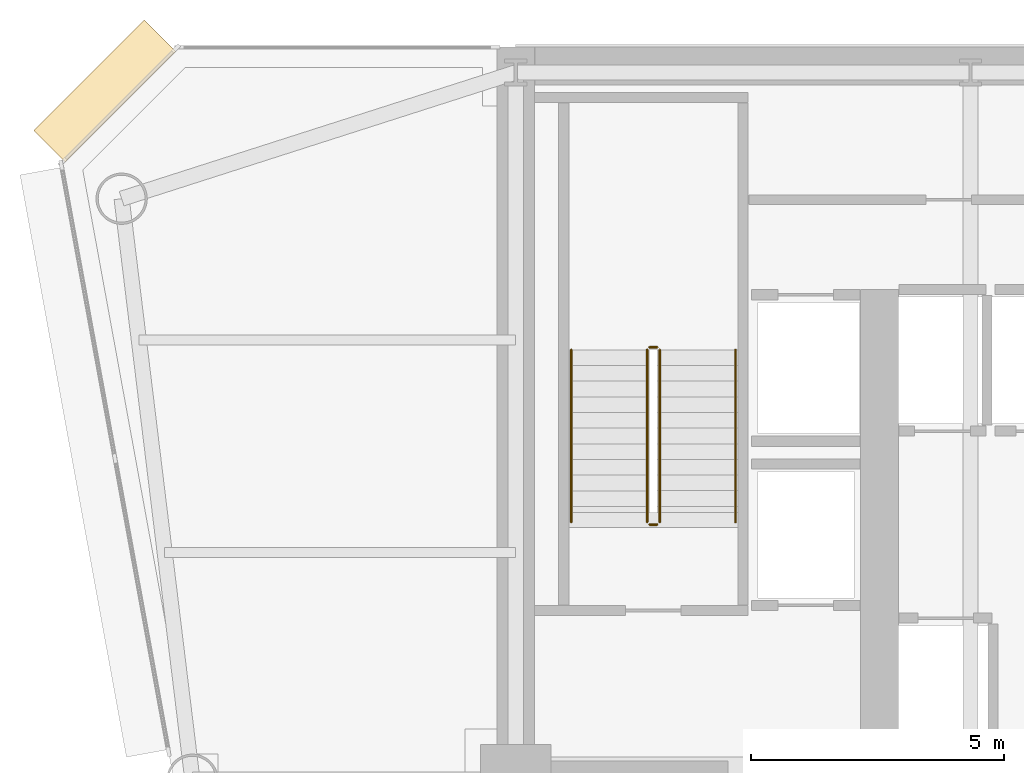
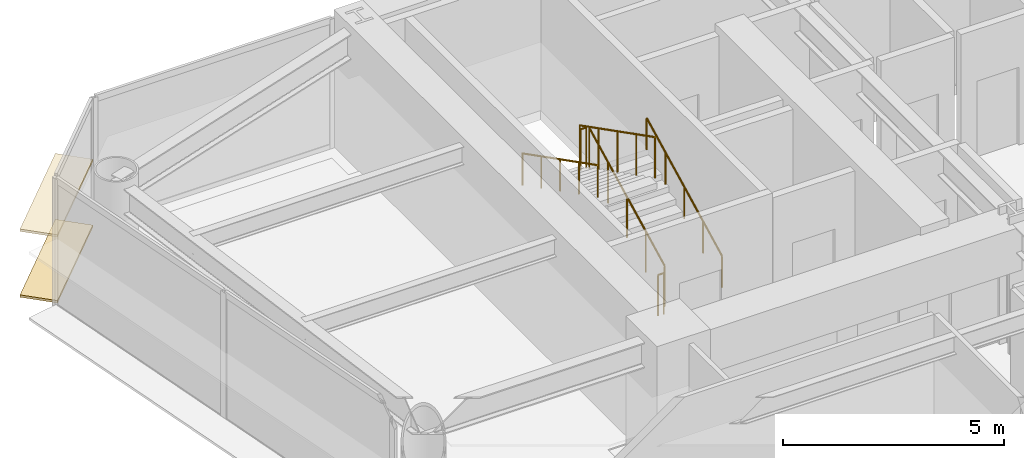
# One storey, part 12 of 14: 6 railings, 2 coverings.
"""IFC4 building model written with IfcOpenShell, lengths in metres."""

from ifc_helpers import new_model, si_unit, direction, frame, origin, origin_2d, place, context, subcontext, project, spatial, rectangle, circle, extrude, source, transform, mapped, material, layer, layer_set, type_object, element, save


model = new_model("IFC4")

# Units and contexts
model_context = context("Model", 3, precision=1e-05, world=origin(), true_north=direction((0.0, 1.0)))
body_context = subcontext(model_context, "Body", "Model", "MODEL_VIEW")
ifc_project = project(units=[si_unit("LENGTHUNIT", "METRE"), si_unit("AREAUNIT", "SQUARE_METRE"), si_unit("VOLUMEUNIT", "CUBIC_METRE"), si_unit("PLANEANGLEUNIT", "RADIAN"), si_unit("MASSUNIT", "GRAM", prefix="KILO")], contexts=[model_context])

# Site, building, storey
site_placement = place(None, origin())
site = spatial("IfcSite", under=ifc_project, at=site_placement, CompositionType="ELEMENT")
building_placement = place(site_placement, origin())
building = spatial("IfcBuilding", under=site, at=building_placement, Name="Vaeldorn Concourse Tower", CompositionType="ELEMENT")
storey_placement = place(building_placement, frame((0.0, 0.0, 88.199951171875)))
storey = spatial("IfcBuildingStorey", under=building, at=storey_placement, Name="L22", CompositionType="ELEMENT", Elevation=88.199951171875)

# Railings
ifc_material = material(Name="Anodised Bronze Aluminium", Category="aluminium")
railing_type_1 = type_object("IfcRailingType", Name="RL-STAIR-GUARD", PredefinedType="GUARDRAIL", material=ifc_material)
railing_1_placement = place(storey_placement, frame((16.85009765625, 41.60009765625, 0.158447265625)))
element("IfcRailing", 1, at=railing_1_placement, inside=storey, type_object=railing_type_1, Name="L22 ST-1 stair guard 1", PredefinedType="GUARDRAIL", context=body_context, shape_type="SweptSolid", body=[
    extrude(circle(Radius=0.02392578125, at=origin_2d()), frame((0.0, 0.0, 1.1259765625), z_axis=(0.0, 0.890555807335, 0.454873997962), x_axis=(-1.0, 0.0, 0.0)), (0.0, 0.0, 1.0), 3.828857421875),
    extrude(circle(Radius=0.02099609375, at=origin_2d()), origin(), (0.0, 0.0, 1.0), 1.101806640625),
    extrude(circle(Radius=0.02099609375, at=origin_2d()), frame((0.0, 0.8525390625, 0.435546875)), (0.0, 0.0, 1.0), 1.101806640625),
    extrude(circle(Radius=0.02099609375, at=origin_2d()), frame((0.0, 1.705078125, 0.870849609375)), (0.0, 0.0, 1.0), 1.101806640625),
    extrude(circle(Radius=0.02099609375, at=origin_2d()), frame((0.0, 2.557373046875, 1.30615234375)), (0.0, 0.0, 1.0), 1.101806640625),
    extrude(circle(Radius=0.02099609375, at=origin_2d()), frame((0.0, 3.409912109375, 1.74169921875)), (0.0, 0.0, 1.0), 1.101806640625),
])
railing_2_placement = place(storey_placement, frame((16.800048828125, 45.06005859375, 1.900146484375)))
element("IfcRailing", 2, at=railing_2_placement, inside=storey, type_object=railing_type_1, Name="L22 ST-1 stair guard 2", PredefinedType="GUARDRAIL", context=body_context, shape_type="SweptSolid", body=[
    extrude(circle(Radius=0.02392578125, at=origin_2d()), frame((0.0, 0.0, 1.1259765625), z_axis=(-1.0, 0.0, 0.0), x_axis=(0.0, -1.0, 0.0)), (0.0, 0.0, 1.0), 0.150146484375),
    extrude(circle(Radius=0.02099609375, at=origin_2d()), origin(), (0.0, 0.0, 1.0), 1.101806640625),
    extrude(circle(Radius=0.02099609375, at=origin_2d()), frame((-0.150146484375, 0.0, 0.0)), (0.0, 0.0, 1.0), 1.101806640625),
])
railing_3_placement = place(storey_placement, frame((16.60009765625, 45.010009765625, 2.058349609375)))
element("IfcRailing", 3, at=railing_3_placement, inside=storey, type_object=railing_type_1, Name="L22 ST-1 stair guard 3", PredefinedType="GUARDRAIL", context=body_context, shape_type="SweptSolid", body=[
    extrude(circle(Radius=0.02392578125, at=origin_2d()), frame((0.0, 0.0, 1.1259765625), z_axis=(0.0, -0.890555807335, 0.454873997962), x_axis=(1.0, 0.0, 0.0)), (0.0, 0.0, 1.0), 3.828857421875),
    extrude(circle(Radius=0.02099609375, at=origin_2d()), origin(), (0.0, 0.0, 1.0), 1.101806640625),
    extrude(circle(Radius=0.02099609375, at=origin_2d()), frame((0.0, -0.8525390625, 0.435546875)), (0.0, 0.0, 1.0), 1.101806640625),
    extrude(circle(Radius=0.02099609375, at=origin_2d()), frame((0.0, -1.705078125, 0.870849609375)), (0.0, 0.0, 1.0), 1.101806640625),
    extrude(circle(Radius=0.02099609375, at=origin_2d()), frame((0.0, -2.557373046875, 1.30615234375)), (0.0, 0.0, 1.0), 1.101806640625),
    extrude(circle(Radius=0.02099609375, at=origin_2d()), frame((0.0, -3.409912109375, 1.74169921875)), (0.0, 0.0, 1.0), 1.101806640625),
])
railing_4_placement = place(storey_placement, frame((16.800048828125, 41.550048828125, 0.0)))
element("IfcRailing", 4, at=railing_4_placement, inside=storey, type_object=railing_type_1, Name="L22 ST-1 stair guard 4", PredefinedType="GUARDRAIL", context=body_context, shape_type="SweptSolid", body=[
    extrude(circle(Radius=0.02392578125, at=origin_2d()), frame((0.0, 0.0, 1.1259765625), z_axis=(-1.0, 0.0, 0.0), x_axis=(0.0, -1.0, 0.0)), (0.0, 0.0, 1.0), 0.150146484375),
    extrude(circle(Radius=0.02099609375, at=origin_2d()), origin(), (0.0, 0.0, 1.0), 1.101806640625),
    extrude(circle(Radius=0.02099609375, at=origin_2d()), frame((-0.150146484375, 0.0, 0.0)), (0.0, 0.0, 1.0), 1.101806640625),
])
railing_type_2 = type_object("IfcRailingType", Name="RL-STAIR-HANDRAIL", PredefinedType="HANDRAIL", material=ifc_material)
railing_5_placement = place(storey_placement, frame((18.35009765625, 41.60009765625, 0.158447265625)))
element("IfcRailing", 5, at=railing_5_placement, inside=storey, type_object=railing_type_2, Name="L22 ST-1 stair handrail 1", PredefinedType="HANDRAIL", context=body_context, shape_type="SweptSolid", body=[
    extrude(circle(Radius=0.02392578125, at=origin_2d()), frame((0.0, 0.0, 0.8759765625), z_axis=(0.0, 0.890555807335, 0.454873997962), x_axis=(-1.0, 0.0, 0.0)), (0.0, 0.0, 1.0), 3.828857421875),
    extrude(circle(Radius=0.02099609375, at=origin_2d()), origin(), (0.0, 0.0, 1.0), 0.851806640625),
    extrude(circle(Radius=0.02099609375, at=origin_2d()), frame((0.0, 0.8525390625, 0.435546875)), (0.0, 0.0, 1.0), 0.851806640625),
    extrude(circle(Radius=0.02099609375, at=origin_2d()), frame((0.0, 1.705078125, 0.870849609375)), (0.0, 0.0, 1.0), 0.851806640625),
    extrude(circle(Radius=0.02099609375, at=origin_2d()), frame((0.0, 2.557373046875, 1.30615234375)), (0.0, 0.0, 1.0), 0.851806640625),
    extrude(circle(Radius=0.02099609375, at=origin_2d()), frame((0.0, 3.409912109375, 1.74169921875)), (0.0, 0.0, 1.0), 0.851806640625),
])
railing_6_placement = place(storey_placement, frame((15.10009765625, 45.010009765625, 2.058349609375)))
element("IfcRailing", 6, at=railing_6_placement, inside=storey, type_object=railing_type_2, Name="L22 ST-1 stair handrail 2", PredefinedType="HANDRAIL", context=body_context, shape_type="SweptSolid", body=[
    extrude(circle(Radius=0.02392578125, at=origin_2d()), frame((0.0, 0.0, 0.8759765625), z_axis=(0.0, -0.890555807335, 0.454873997962), x_axis=(1.0, 0.0, 0.0)), (0.0, 0.0, 1.0), 3.828857421875),
    extrude(circle(Radius=0.02099609375, at=origin_2d()), origin(), (0.0, 0.0, 1.0), 0.851806640625),
    extrude(circle(Radius=0.02099609375, at=origin_2d()), frame((0.0, -0.8525390625, 0.435546875)), (0.0, 0.0, 1.0), 0.851806640625),
    extrude(circle(Radius=0.02099609375, at=origin_2d()), frame((0.0, -1.705078125, 0.870849609375)), (0.0, 0.0, 1.0), 0.851806640625),
    extrude(circle(Radius=0.02099609375, at=origin_2d()), frame((0.0, -2.557373046875, 1.30615234375)), (0.0, 0.0, 1.0), 0.851806640625),
    extrude(circle(Radius=0.02099609375, at=origin_2d()), frame((0.0, -3.409912109375, 1.74169921875)), (0.0, 0.0, 1.0), 0.851806640625),
])

# Coverings
ifc_layer = layer(ifc_material, 0.06494140625)
ifc_layer_set = layer_set([ifc_layer], Name="Anodised Bronze Aluminium")
covering_type = type_object("IfcCoveringType", Name="SD-BRONZE-SUNSHADE", PredefinedType="USERDEFINED", material=ifc_layer_set)
shared_shape = source(origin(), body_context, "Body", "SweptSolid", [
    extrude(rectangle(XDim=3.0927734375, YDim=0.8798828125, at=origin_2d()), origin(), (0.0, 0.0, 1.0), 0.06494140625),
])
for number, where, z_axis, x_axis, name in (
    (7, (5.8671875, 50.1328125, 0.047607421875), (0.0, 0.0, 1.0), (-0.707106781187, -0.707106781187, 0.0), "Horizontal Bronze Sunshade L22-E10.1.1"),
    (8, (5.8671875, 50.1328125, 1.86767578125), (0.0, 0.0, 1.0), (-0.707106781187, -0.707106781187, 0.0), "Horizontal Bronze Sunshade L22-E10.1.2"),
):
    element("IfcCovering", number, at=place(storey_placement, frame(where, z_axis=z_axis, x_axis=x_axis)), inside=storey, type_object=covering_type, Name=name, ObjectType="SUNSHADE", PredefinedType="USERDEFINED", context=body_context, shape_type="MappedRepresentation", body=[
        mapped(shared_shape, transform((0.0, 0.0, 0.0), scale=1.0)),
    ])

save(model, "model.ifc")
